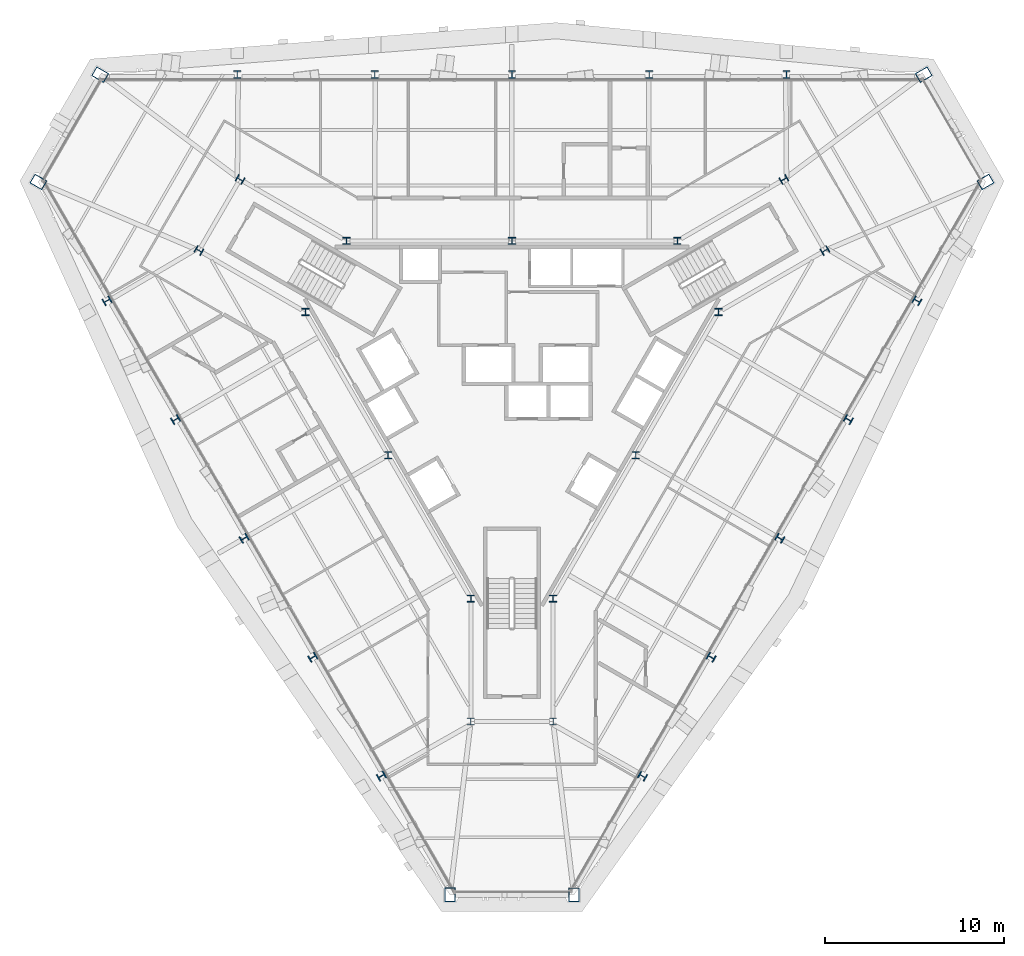
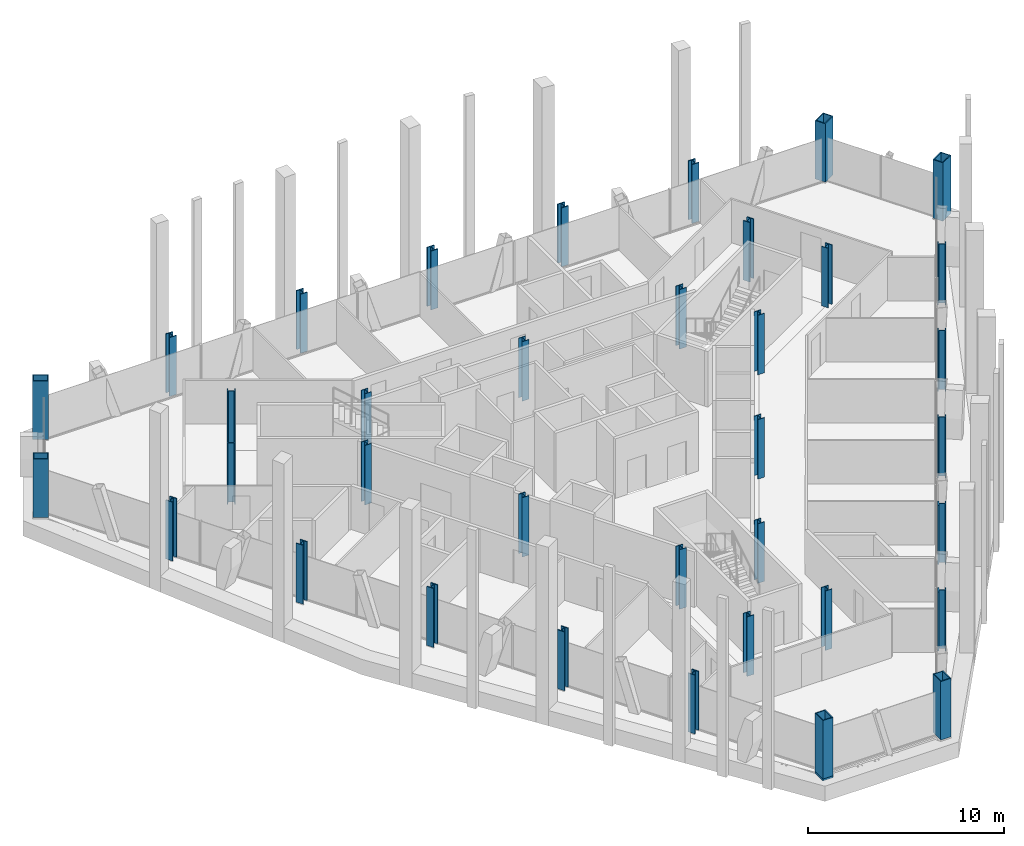
# One storey, part 1 of 13: 36 columns, 1 member.
"""IFC4 building model written with IfcOpenShell, lengths in metres."""

from ifc_helpers import new_model, si_unit, direction, frame, origin, origin_2d, place, context, subcontext, project, spatial, hollow_rectangle, i_section, extrude, material, material_profile, profile_set, type_object, element, save


model = new_model("IFC4")

# Units and contexts
model_context = context("Model", 3, precision=1e-05, world=origin(), true_north=direction((0.0, 1.0)))
body_context = subcontext(model_context, "Body", "Model", "MODEL_VIEW")
ifc_project = project(units=[si_unit("LENGTHUNIT", "METRE"), si_unit("AREAUNIT", "SQUARE_METRE"), si_unit("VOLUMEUNIT", "CUBIC_METRE"), si_unit("PLANEANGLEUNIT", "RADIAN"), si_unit("MASSUNIT", "GRAM", prefix="KILO")], contexts=[model_context])

# Site, building, storey
site_placement = place(None, origin())
site = spatial("IfcSite", under=ifc_project, at=site_placement, CompositionType="ELEMENT")
building_placement = place(site_placement, origin())
building = spatial("IfcBuilding", under=site, at=building_placement, Name="Verrane Prism Tower", CompositionType="ELEMENT")
storey_placement = place(building_placement, frame((0.0, 0.0, 159.89990234375)))
storey = spatial("IfcBuildingStorey", under=building, at=storey_placement, Name="L39", CompositionType="ELEMENT", Elevation=159.89990234375)

# Columns
ifc_material_1 = material(Name="Steel A992", Category="steel")
ifc_material_profile_1 = material_profile(ifc_material_1, i_section(OverallWidth=0.406494140625, OverallDepth=0.41650390625, WebThickness=0.030029296875, FlangeThickness=0.048095703125, FilletRadius=0.01513671875, at=origin_2d()), Name="W14x257")
ifc_profile_set_1 = profile_set([ifc_material_profile_1], Name="Steel A992")
column_type_1 = type_object("IfcColumnType", Name="Core corner column W14x257", PredefinedType="COLUMN", material=ifc_profile_set_1)
for number, where, z_axis, x_axis, name in (
    (1, (17.52001953125, 7.4599609375, 0.0), (0.0, 0.0, 1.0), (0.5, -0.866025403784, 0.0), "Core corner column CK-NEm L39"),
    (2, (15.219970703125, 11.43994140625, 0.0), (0.0, 0.0, 1.0), (0.5, -0.866025403784, 0.0), "Core corner column CK-NEp L39"),
    (3, (-15.219970703125, 11.43994140625, 0.0), (0.0, 0.0, 1.0), (0.5, 0.866025403784, 0.0), "Core corner column CK-NWm L39"),
    (4, (-17.52001953125, 7.4599609375, 0.0), (0.0, 0.0, 1.0), (0.5, 0.866025403784, 0.0), "Core corner column CK-NWp L39"),
    (5, (-2.300048828125, -18.89990234375, 0.0), (0.0, 0.0, 1.0), (-1.0, 0.0, 0.0), "Core corner column CK-Sm L39"),
    (6, (2.300048828125, -18.89990234375, 0.0), (0.0, 0.0, 1.0), (-1.0, 0.0, 0.0), "Core corner column CK-Sp L39"),
):
    element("IfcColumn", number, at=place(storey_placement, frame(where, z_axis=z_axis, x_axis=x_axis)), inside=storey, type_object=column_type_1, Name=name, PredefinedType="COLUMN", context=body_context, shape_type="SweptSolid", body=[
        extrude(i_section(OverallWidth=0.406494140625, OverallDepth=0.41650390625, WebThickness=0.030029296875, FlangeThickness=0.048095703125, FilletRadius=0.01513671875, at=origin_2d()), origin(), (0.0, 0.0, 1.0), 3.7001953125),
    ])
ifc_material_2 = material(Name="Steel A992", Category="steel")
ifc_material_profile_2 = material_profile(ifc_material_2, i_section(OverallWidth=0.4013671875, OverallDepth=0.398681640625, WebThickness=0.02490234375, FlangeThickness=0.03955078125, FilletRadius=0.01513671875, at=origin_2d()), Name="W14x211")
ifc_profile_set_2 = profile_set([ifc_material_profile_2], Name="Steel A992")
column_type_2 = type_object("IfcColumnType", Name="Core side column W14x211", PredefinedType="COLUMN", material=ifc_profile_set_2)
for number, where, z_axis, x_axis, name in (
    (7, (11.56005859375, 4.02001953125, 0.0), (0.0, 0.0, 1.0), (1.0, 0.0, 0.0), "Core side column CC-NEm L39"),
    (8, (9.260009765625, 8.0, 0.0), (0.0, 0.0, 1.0), (1.0, 0.0, 0.0), "Core side column CC-NEp L39"),
    (9, (0.0, 8.0, 0.0), (0.0, 0.0, 1.0), (1.0, 0.0, 0.0), "Core side column CC-N0 L39"),
    (10, (-9.260009765625, 8.0, 0.0), (0.0, 0.0, 1.0), (1.0, 0.0, 0.0), "Core side column CC-NWm L39"),
    (11, (-11.56005859375, 4.02001953125, 0.0), (0.0, 0.0, 1.0), (1.0, 0.0, 0.0), "Core side column CC-NWp L39"),
    (12, (-6.929931640625, -4.0, 0.0), (0.0, 0.0, 1.0), (1.0, 0.0, 0.0), "Core side column CC-SW0 L39"),
    (13, (-2.300048828125, -12.02001953125, 0.0), (0.0, 0.0, 1.0), (1.0, 0.0, 0.0), "Core side column CC-Sm L39"),
    (14, (2.300048828125, -12.02001953125, 0.0), (0.0, 0.0, 1.0), (1.0, 0.0, 0.0), "Core side column CC-Sp L39"),
    (15, (6.929931640625, -4.0, 0.0), (0.0, 0.0, 1.0), (1.0, 0.0, 0.0), "Core side column CC-SE0 L39"),
):
    element("IfcColumn", number, at=place(storey_placement, frame(where, z_axis=z_axis, x_axis=x_axis)), inside=storey, type_object=column_type_2, Name=name, PredefinedType="COLUMN", context=body_context, shape_type="SweptSolid", body=[
        extrude(i_section(OverallWidth=0.4013671875, OverallDepth=0.398681640625, WebThickness=0.02490234375, FlangeThickness=0.03955078125, FilletRadius=0.01513671875, at=origin_2d()), origin(), (0.0, 0.0, 1.0), 3.7001953125),
    ])
ifc_material_3 = material(Name="Steel A572 Grade 50", Category="steel")
ifc_material_profile_3 = material_profile(ifc_material_3, hollow_rectangle(XDim=0.60009765625, YDim=0.800048828125, WallThickness=0.050048828125, at=origin_2d()), Name="BOX 800x600x50")
ifc_profile_set_3 = profile_set([ifc_material_profile_3], Name="Steel A572 Grade 50")
column_type_3 = type_object("IfcColumnType", Name="Megacolumn BOX 800x600x50", PredefinedType="COLUMN", material=ifc_profile_set_3)
for number, where, z_axis, x_axis, name in (
    (16, (23.050048828125, 17.31005859375, 0.065185546875), (0.0, 0.0, 1.0), (0.5, -0.866025403784, 0.0), "Megacolumn MC-NE.b L39"),
    (17, (-23.050048828125, 17.31005859375, 0.065185546875), (0.0, 0.0, 1.0), (0.5, 0.866025403784, 0.0), "Megacolumn MC-NW.a L39"),
    (18, (-26.510009765625, 11.300048828125, 0.065185546875), (0.0, 0.0, 1.0), (0.5, 0.866025403784, 0.0), "Megacolumn MC-NW.b L39"),
    (19, (-3.469970703125, -28.610107421875, 0.065185546875), (0.0, 0.0, 1.0), (-1.0, 0.0, 0.0), "Megacolumn MC-S.a L39"),
    (20, (3.469970703125, -28.610107421875, 0.065185546875), (0.0, 0.0, 1.0), (-1.0, 0.0, 0.0), "Megacolumn MC-S.b L39"),
    (21, (26.510009765625, 11.300048828125, 0.065185546875), (0.0, 0.0, 1.0), (0.5, -0.866025403784, 0.0), "Megacolumn MC-NE.a L39"),
):
    element("IfcColumn", number, at=place(storey_placement, frame(where, z_axis=z_axis, x_axis=x_axis)), inside=storey, type_object=column_type_3, Name=name, PredefinedType="COLUMN", context=body_context, shape_type="SweptSolid", body=[
        extrude(hollow_rectangle(XDim=0.60009765625, YDim=0.800048828125, WallThickness=0.050048828125, at=origin_2d()), origin(), (0.0, 0.0, 1.0), 3.635009765625),
    ])
ifc_material_4 = material(Name="Steel A992", Category="steel")
ifc_material_profile_4 = material_profile(ifc_material_4, i_section(OverallWidth=0.411376953125, OverallDepth=0.434326171875, WebThickness=0.035888671875, FlangeThickness=0.057373046875, FilletRadius=0.01513671875, at=origin_2d()), Name="W14x311")
ifc_profile_set_4 = profile_set([ifc_material_profile_4], Name="Steel A992")
column_type_4 = type_object("IfcColumnType", Name="Perimeter column W14x311", PredefinedType="COLUMN", material=ifc_profile_set_4)
column_1_placement = place(storey_placement, frame((15.3701171875, 17.31005859375, 0.0400390625), z_axis=(0.0, 0.0, 1.0), x_axis=(1.0, 0.0, 0.0)))
element("IfcColumn", 22, at=column_1_placement, inside=storey, type_object=column_type_4, Name="Perimeter column PC-N1 L39", PredefinedType="COLUMN", context=body_context, shape_type="SweptSolid", body=[
    extrude(i_section(OverallWidth=0.411376953125, OverallDepth=0.434326171875, WebThickness=0.035888671875, FlangeThickness=0.057373046875, FilletRadius=0.01513671875, at=origin_2d()), origin(), (0.0, 0.0, 1.0), 3.66015625),
])
for number, where, z_axis, x_axis, name in (
    (23, (7.679931640625, 17.31005859375, 0.03515625), (0.0, 0.0, 1.0), (1.0, 0.0, 0.0), "Perimeter column PC-N2 L39"),
    (24, (0.0, 17.31005859375, 0.03515625), (0.0, 0.0, 1.0), (1.0, 0.0, 0.0), "Perimeter column PC-N3 L39"),
    (25, (-7.679931640625, 17.31005859375, 0.03515625), (0.0, 0.0, 1.0), (1.0, 0.0, 0.0), "Perimeter column PC-N4 L39"),
):
    element("IfcColumn", number, at=place(storey_placement, frame(where, z_axis=z_axis, x_axis=x_axis)), inside=storey, type_object=column_type_4, Name=name, PredefinedType="COLUMN", context=body_context, shape_type="SweptSolid", body=[
        extrude(i_section(OverallWidth=0.411376953125, OverallDepth=0.434326171875, WebThickness=0.035888671875, FlangeThickness=0.057373046875, FilletRadius=0.01513671875, at=origin_2d()), origin(), (0.0, 0.0, 1.0), 3.6650390625),
    ])
for number, where, z_axis, x_axis, name in (
    (26, (-15.3701171875, 17.31005859375, 0.0400390625), (0.0, 0.0, 1.0), (1.0, 0.0, 0.0), "Perimeter column PC-N5 L39"),
    (27, (-22.669921875, 4.64990234375, 0.0400390625), (0.0, 0.0, 1.0), (-0.5, 0.866025403784, 0.0), "Perimeter column PC-SW1 L39"),
):
    element("IfcColumn", number, at=place(storey_placement, frame(where, z_axis=z_axis, x_axis=x_axis)), inside=storey, type_object=column_type_4, Name=name, PredefinedType="COLUMN", context=body_context, shape_type="SweptSolid", body=[
        extrude(i_section(OverallWidth=0.411376953125, OverallDepth=0.434326171875, WebThickness=0.035888671875, FlangeThickness=0.057373046875, FilletRadius=0.01513671875, at=origin_2d()), origin(), (0.0, 0.0, 1.0), 3.66015625),
    ])
for number, where, z_axis, x_axis, name in (
    (28, (-18.830078125, -2.0, 0.03515625), (0.0, 0.0, 1.0), (-0.5, 0.866025403784, 0.0), "Perimeter column PC-SW2 L39"),
    (29, (-14.989990234375, -8.64990234375, 0.03515625), (0.0, 0.0, 1.0), (-0.5, 0.866025403784, 0.0), "Perimeter column PC-SW3 L39"),
    (30, (-11.14990234375, -15.31005859375, 0.03515625), (0.0, 0.0, 1.0), (-0.5, 0.866025403784, 0.0), "Perimeter column PC-SW4 L39"),
):
    element("IfcColumn", number, at=place(storey_placement, frame(where, z_axis=z_axis, x_axis=x_axis)), inside=storey, type_object=column_type_4, Name=name, PredefinedType="COLUMN", context=body_context, shape_type="SweptSolid", body=[
        extrude(i_section(OverallWidth=0.411376953125, OverallDepth=0.434326171875, WebThickness=0.035888671875, FlangeThickness=0.057373046875, FilletRadius=0.01513671875, at=origin_2d()), origin(), (0.0, 0.0, 1.0), 3.6650390625),
    ])
for number, where, z_axis, x_axis, name in (
    (31, (-7.31005859375, -21.9599609375, 0.0400390625), (0.0, 0.0, 1.0), (-0.5, 0.866025403784, 0.0), "Perimeter column PC-SW5 L39"),
    (32, (7.31005859375, -21.9599609375, 0.0400390625), (0.0, 0.0, 1.0), (-0.5, -0.866025403784, 0.0), "Perimeter column PC-SE1 L39"),
):
    element("IfcColumn", number, at=place(storey_placement, frame(where, z_axis=z_axis, x_axis=x_axis)), inside=storey, type_object=column_type_4, Name=name, PredefinedType="COLUMN", context=body_context, shape_type="SweptSolid", body=[
        extrude(i_section(OverallWidth=0.411376953125, OverallDepth=0.434326171875, WebThickness=0.035888671875, FlangeThickness=0.057373046875, FilletRadius=0.01513671875, at=origin_2d()), origin(), (0.0, 0.0, 1.0), 3.66015625),
    ])
for number, where, z_axis, x_axis, name in (
    (33, (11.14990234375, -15.31005859375, 0.03515625), (0.0, 0.0, 1.0), (-0.5, -0.866025403784, 0.0), "Perimeter column PC-SE2 L39"),
    (34, (14.989990234375, -8.64990234375, 0.03515625), (0.0, 0.0, 1.0), (-0.5, -0.866025403784, 0.0), "Perimeter column PC-SE3 L39"),
    (35, (18.830078125, -2.0, 0.03515625), (0.0, 0.0, 1.0), (-0.5, -0.866025403784, 0.0), "Perimeter column PC-SE4 L39"),
):
    element("IfcColumn", number, at=place(storey_placement, frame(where, z_axis=z_axis, x_axis=x_axis)), inside=storey, type_object=column_type_4, Name=name, PredefinedType="COLUMN", context=body_context, shape_type="SweptSolid", body=[
        extrude(i_section(OverallWidth=0.411376953125, OverallDepth=0.434326171875, WebThickness=0.035888671875, FlangeThickness=0.057373046875, FilletRadius=0.01513671875, at=origin_2d()), origin(), (0.0, 0.0, 1.0), 3.6650390625),
    ])
column_2_placement = place(storey_placement, frame((22.669921875, 4.64990234375, 0.0400390625), z_axis=(0.0, 0.0, 1.0), x_axis=(-0.5, -0.866025403784, 0.0)))
element("IfcColumn", 36, at=column_2_placement, inside=storey, type_object=column_type_4, Name="Perimeter column PC-SE5 L39", PredefinedType="COLUMN", context=body_context, shape_type="SweptSolid", body=[
    extrude(i_section(OverallWidth=0.411376953125, OverallDepth=0.434326171875, WebThickness=0.035888671875, FlangeThickness=0.057373046875, FilletRadius=0.01513671875, at=origin_2d()), origin(), (0.0, 0.0, 1.0), 3.66015625),
])

# Member
ifc_material_5 = material(Name="Steel A572 Grade 50", Category="steel")
ifc_material_profile_5 = material_profile(ifc_material_5, hollow_rectangle(XDim=0.60009765625, YDim=0.800048828125, WallThickness=0.050048828125, at=origin_2d()), Name="BOX 800x600x50")
ifc_profile_set_5 = profile_set([ifc_material_profile_5], Name="Steel A572 Grade 50")
member_type = type_object("IfcMemberType", Name="Kink node BOX 800x600x50", PredefinedType="COLLAR", material=ifc_profile_set_5)
member_placement = place(storey_placement, frame((-3.46630859375, -28.60400390625, -0.06494140625), z_axis=(0.0, 0.0, 1.0), x_axis=(-1.0, 0.0, 0.0)))
element("IfcMember", 37, at=member_placement, inside=storey, type_object=member_type, Name="Kink node MC4 L39", PredefinedType="COLLAR", context=body_context, shape_type="SweptSolid", body=[
    extrude(hollow_rectangle(XDim=0.60009765625, YDim=0.800048828125, WallThickness=0.050048828125, at=origin_2d()), origin(), (0.0, 0.0, 1.0), 0.130126953125),
])

save(model, "model.ifc")
